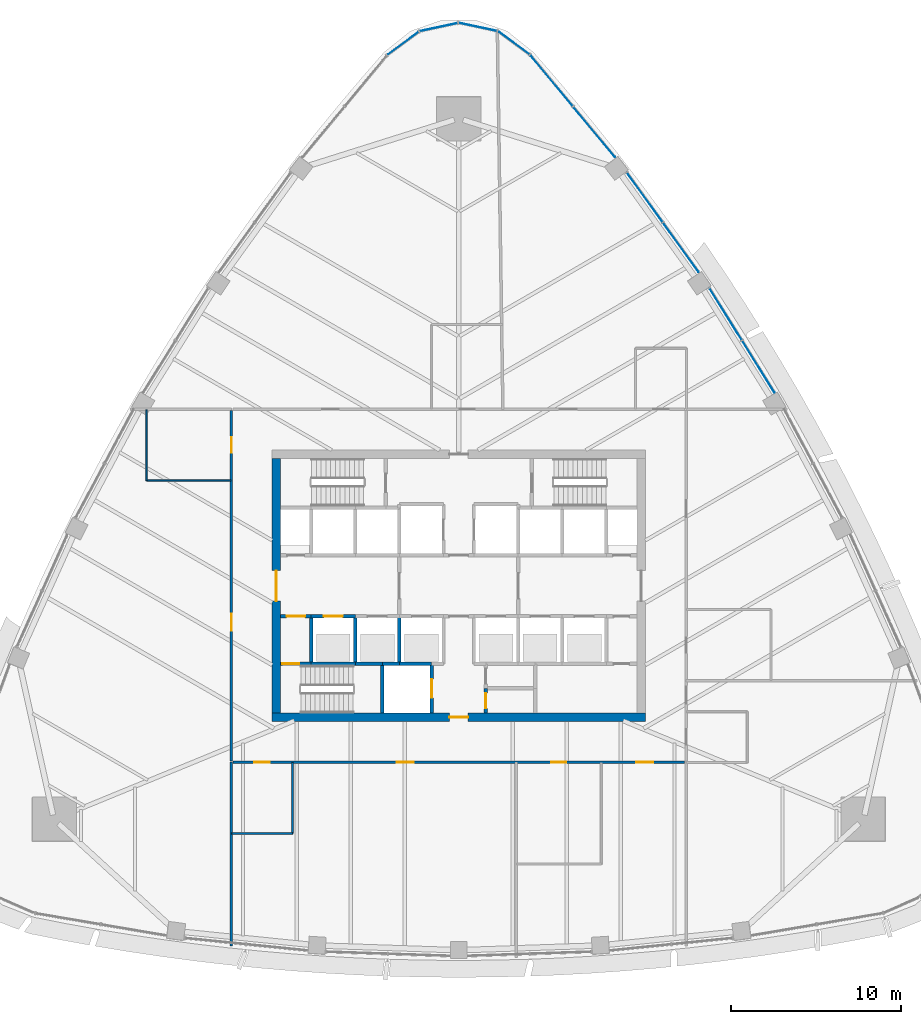
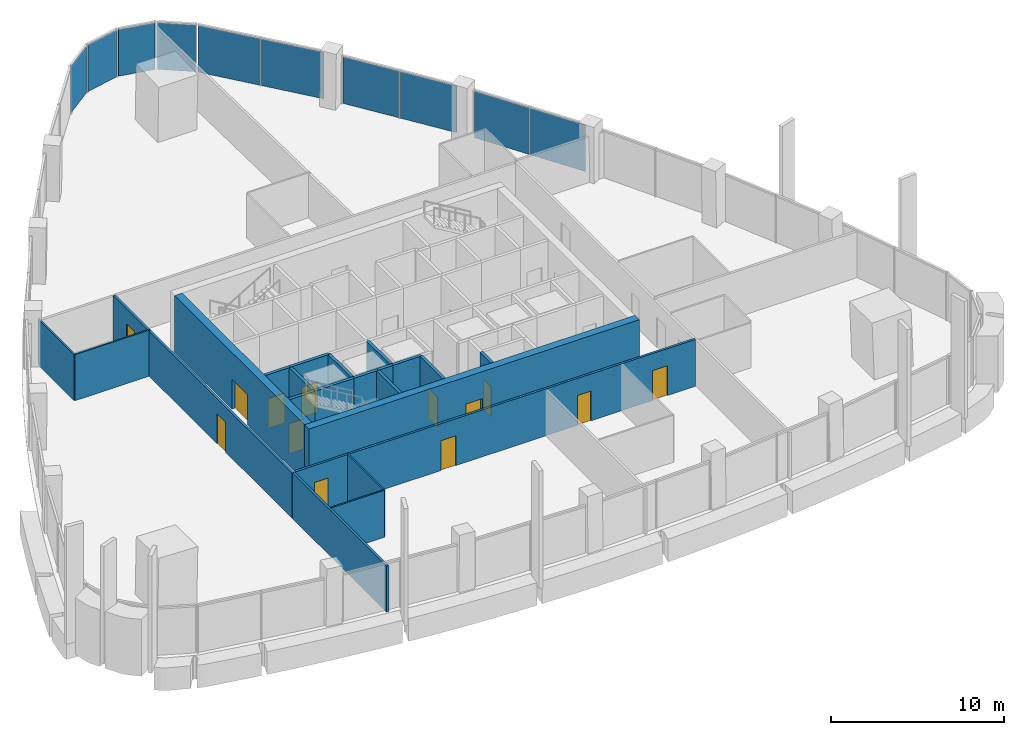
# One storey, part 9 of 17: 22 walls, 13 doors, 10 plates, 13 openings, 7 elements without a shape of their own.
"""IFC4 building model written with IfcOpenShell, lengths in metres."""

from ifc_helpers import new_model, si_unit, direction, frame, frame_2d, origin, origin_2d, place, context, subcontext, project, spatial, rectangle, extrude, material, layer, layer_set, type_object, element, fill, aggregate, save


model = new_model("IFC4")

# Units and contexts
model_context = context("Model", 3, precision=1e-05, world=origin(), true_north=direction((0.0, 1.0)))
body_context = subcontext(model_context, "Body", "Model", "MODEL_VIEW")
ifc_project = project(units=[si_unit("LENGTHUNIT", "METRE"), si_unit("AREAUNIT", "SQUARE_METRE"), si_unit("VOLUMEUNIT", "CUBIC_METRE"), si_unit("PLANEANGLEUNIT", "RADIAN"), si_unit("MASSUNIT", "GRAM", prefix="KILO")], contexts=[model_context])

# Site, building, storey
site_placement = place(None, origin())
site = spatial("IfcSite", under=ifc_project, at=site_placement, CompositionType="ELEMENT")
building_placement = place(site_placement, origin())
building = spatial("IfcBuilding", under=site, at=building_placement, Name="Sierra Prisma Convention Tower", CompositionType="ELEMENT")
storey_placement = place(building_placement, frame((0.0, 0.0, 169.800048828125)))
storey = spatial("IfcBuildingStorey", under=building, at=storey_placement, Name="L37", CompositionType="ELEMENT", Elevation=169.800048828125)

# Curtain wall, plates
ifc_material_1 = material(Name="Aluminium and glass curtain wall", Category="aluminium")
ifc_layer_1 = layer(ifc_material_1, 0.179931640625)
ifc_layer_set_1 = layer_set([ifc_layer_1], Name="CW-1 Plain shaft curtain wall")
curtain_wall_type = type_object("IfcCurtainWallType", Name="CW-1 Plain shaft curtain wall", PredefinedType="NOTDEFINED", material=ifc_layer_set_1)
curtain_wall_1_placement = place(storey_placement, origin())
curtain_wall_1 = element("IfcCurtainWall", 1, at=curtain_wall_1_placement, inside=storey, type_object=curtain_wall_type, Name="CW-1 NE4 L37", PredefinedType="NOTDEFINED")
ifc_material_2 = material(Name="Tinted glass bronze-grey IGU", Category="glass")
ifc_layer_2 = layer(ifc_material_2, 0.028076171875)
ifc_layer_set_2 = layer_set([ifc_layer_2], Name="CW-1 glass panel")
plate_type = type_object("IfcPlateType", Name="CW-1 glass panel", PredefinedType="CURTAIN_PANEL", material=ifc_layer_set_2)
plate_1_placement = place(storey_placement, frame((17.6591796875, 12.920166015625, 0.0), z_axis=(0.0, 0.0, 1.0), x_axis=(-0.52891307546, 0.848676003318, 0.0)))
plate_1 = element("IfcPlate", 2, at=plate_1_placement, type_object=plate_type, Name="CW-1 panel NE4.1", PredefinedType="CURTAIN_PANEL", context=body_context, shape_type="SweptSolid", body=[
    extrude(rectangle(XDim=3.58203125, YDim=0.028076171875, at=origin_2d()), origin(), (0.0, 0.0, 1.0), 3.280029296875),
])
plate_2_placement = place(storey_placement, frame((15.7275390625, 16.019287109375, 0.0), z_axis=(0.0, 0.0, 1.0), x_axis=(-0.52891307546, 0.848676003318, 0.0)))
plate_2 = element("IfcPlate", 3, at=plate_2_placement, type_object=plate_type, Name="CW-1 panel NE4.2", PredefinedType="CURTAIN_PANEL", context=body_context, shape_type="SweptSolid", body=[
    extrude(rectangle(XDim=3.58203125, YDim=0.028076171875, at=origin_2d()), origin(), (0.0, 0.0, 1.0), 3.280029296875),
])
aggregate(curtain_wall_1, [plate_1, plate_2])

curtain_wall_2_placement = place(storey_placement, origin())
curtain_wall_2 = element("IfcCurtainWall", 4, at=curtain_wall_2_placement, inside=storey, type_object=curtain_wall_type, Name="CW-1 NE5 L37", PredefinedType="NOTDEFINED")
plate_3_placement = place(storey_placement, frame((13.095703125, 19.9423828125, 0.0), z_axis=(0.0, 0.0, 1.0), x_axis=(-0.58490296575, 0.811103273731, 0.0)))
plate_3 = element("IfcPlate", 5, at=plate_3_placement, type_object=plate_type, Name="CW-1 panel NE5.1", PredefinedType="CURTAIN_PANEL", context=body_context, shape_type="SweptSolid", body=[
    extrude(rectangle(XDim=3.566650390625, YDim=0.028076171875, at=origin_2d()), origin(), (0.0, 0.0, 1.0), 3.280029296875),
])
plate_4_placement = place(storey_placement, frame((10.96875, 22.89208984375, 0.0), z_axis=(0.0, 0.0, 1.0), x_axis=(-0.58490296575, 0.811103273731, 0.0)))
plate_4 = element("IfcPlate", 6, at=plate_4_placement, type_object=plate_type, Name="CW-1 panel NE5.2", PredefinedType="CURTAIN_PANEL", context=body_context, shape_type="SweptSolid", body=[
    extrude(rectangle(XDim=3.566650390625, YDim=0.028076171875, at=origin_2d()), origin(), (0.0, 0.0, 1.0), 3.280029296875),
])
aggregate(curtain_wall_2, [plate_3, plate_4])

curtain_wall_3_placement = place(storey_placement, origin())
curtain_wall_3 = element("IfcCurtainWall", 7, at=curtain_wall_3_placement, inside=storey, type_object=curtain_wall_type, Name="CW-1 NE6 L37", PredefinedType="NOTDEFINED")
plate_5_placement = place(storey_placement, frame((7.978515625, 26.751708984375, 0.0), z_axis=(0.0, 0.0, 1.0), x_axis=(-0.638233549188, 0.769842799986, 0.0)))
plate_5 = element("IfcPlate", 8, at=plate_5_placement, type_object=plate_type, Name="CW-1 panel NE6.1", PredefinedType="CURTAIN_PANEL", context=body_context, shape_type="SweptSolid", body=[
    extrude(rectangle(XDim=3.838134765625, YDim=0.028076171875, at=origin_2d()), origin(), (0.0, 0.0, 1.0), 3.280029296875),
])
plate_6_placement = place(storey_placement, frame((5.484375, 29.76025390625, 0.0), z_axis=(0.0, 0.0, 1.0), x_axis=(-0.638233549188, 0.769842799986, 0.0)))
plate_6 = element("IfcPlate", 9, at=plate_6_placement, type_object=plate_type, Name="CW-1 panel NE6.2", PredefinedType="CURTAIN_PANEL", context=body_context, shape_type="SweptSolid", body=[
    extrude(rectangle(XDim=3.838134765625, YDim=0.028076171875, at=origin_2d()), origin(), (0.0, 0.0, 1.0), 3.280029296875),
])
aggregate(curtain_wall_3, [plate_5, plate_6])

# Curtain wall, plate
curtain_wall_4_placement = place(storey_placement, origin())
curtain_wall_4 = element("IfcCurtainWall", 10, at=curtain_wall_4_placement, inside=storey, type_object=curtain_wall_type, Name="CW-1 N1 L37", PredefinedType="NOTDEFINED")
plate_7_placement = place(storey_placement, frame((3.2626953125, 31.9912109375, 0.0), z_axis=(0.0, 0.0, 1.0), x_axis=(-0.805868379387, 0.592094718017, 0.0)))
plate_7 = element("IfcPlate", 11, at=plate_7_placement, type_object=plate_type, Name="CW-1 panel N1.1", PredefinedType="CURTAIN_PANEL", context=body_context, shape_type="SweptSolid", body=[
    extrude(rectangle(XDim=2.22314453125, YDim=0.028076171875, at=origin_2d()), origin(), (0.0, 0.0, 1.0), 3.280029296875),
])
aggregate(curtain_wall_4, [plate_7])

curtain_wall_5_placement = place(storey_placement, origin())
curtain_wall_5 = element("IfcCurtainWall", 12, at=curtain_wall_5_placement, inside=storey, type_object=curtain_wall_type, Name="CW-1 N2 L37", PredefinedType="NOTDEFINED")
plate_8_placement = place(storey_placement, frame((1.1552734375, 32.9384765625, 0.0), z_axis=(0.0, 0.0, 1.0), x_axis=(-0.977776166605, 0.209651539511, 0.0)))
plate_8 = element("IfcPlate", 13, at=plate_8_placement, type_object=plate_type, Name="CW-1 panel N2.1", PredefinedType="CURTAIN_PANEL", context=body_context, shape_type="SweptSolid", body=[
    extrude(rectangle(XDim=2.22314453125, YDim=0.028076171875, at=origin_2d()), origin(), (0.0, 0.0, 1.0), 3.280029296875),
])
aggregate(curtain_wall_5, [plate_8])

curtain_wall_6_placement = place(storey_placement, origin())
curtain_wall_6 = element("IfcCurtainWall", 14, at=curtain_wall_6_placement, inside=storey, type_object=curtain_wall_type, Name="CW-1 N3 L37", PredefinedType="NOTDEFINED")
plate_9_placement = place(storey_placement, frame((-1.1552734375, 32.9384765625, 0.0), z_axis=(0.0, 0.0, 1.0), x_axis=(-0.977776166605, -0.209651539511, 0.0)))
plate_9 = element("IfcPlate", 15, at=plate_9_placement, type_object=plate_type, Name="CW-1 panel N3.1", PredefinedType="CURTAIN_PANEL", context=body_context, shape_type="SweptSolid", body=[
    extrude(rectangle(XDim=2.22314453125, YDim=0.028076171875, at=origin_2d()), origin(), (0.0, 0.0, 1.0), 3.280029296875),
])
aggregate(curtain_wall_6, [plate_9])

curtain_wall_7_placement = place(storey_placement, origin())
curtain_wall_7 = element("IfcCurtainWall", 16, at=curtain_wall_7_placement, inside=storey, type_object=curtain_wall_type, Name="CW-1 N4 L37", PredefinedType="NOTDEFINED")
plate_10_placement = place(storey_placement, frame((-3.2626953125, 31.9912109375, 0.0), z_axis=(0.0, 0.0, 1.0), x_axis=(-0.805868379387, -0.592094718017, 0.0)))
plate_10 = element("IfcPlate", 17, at=plate_10_placement, type_object=plate_type, Name="CW-1 panel N4.1", PredefinedType="CURTAIN_PANEL", context=body_context, shape_type="SweptSolid", body=[
    extrude(rectangle(XDim=2.22314453125, YDim=0.028076171875, at=origin_2d()), origin(), (0.0, 0.0, 1.0), 3.280029296875),
])
aggregate(curtain_wall_7, [plate_10])

# Walls
ifc_material_3 = material(Name="Gypsum board partition", Category="gypsum")
ifc_layer_3 = layer(ifc_material_3, 0.10009765625)
ifc_layer_set_3 = layer_set([ifc_layer_3], Name="Bathroom partition 100")
wall_type_1 = type_object("IfcWallType", Name="Bathroom partition 100", PredefinedType="PARTITIONING", material=ifc_layer_set_3)
wall_1_placement = place(storey_placement, frame((-13.429931640625, 6.199951171875, 0.0), z_axis=(0.0, 0.0, 1.0), x_axis=(-1.0, 0.0, 0.0)))
element("IfcWall", 18, at=wall_1_placement, inside=storey, type_object=wall_type_1, Name="Partition L37 bath 1", PredefinedType="PARTITIONING", context=body_context, shape_type="SweptSolid", body=[
    extrude(rectangle(XDim=4.969970703125, YDim=0.10009765625, at=frame_2d((2.48486328125, 0.0))), origin(), (0.0, 0.0, 1.0), 3.242919921875),
])
wall_2_placement = place(storey_placement, frame((-18.39990234375, 6.199951171875, 0.0), z_axis=(0.0, 0.0, 1.0), x_axis=(0.0, 1.0, 0.0)))
element("IfcWall", 19, at=wall_2_placement, inside=storey, type_object=wall_type_1, Name="Partition L37 bath 2", PredefinedType="PARTITIONING", context=body_context, shape_type="SweptSolid", body=[
    extrude(rectangle(XDim=4.170166015625, YDim=0.10009765625, at=frame_2d((2.0849609375, 0.0))), origin(), (0.0, 0.0, 1.0), 3.242919921875),
])
wall_3_placement = place(storey_placement, frame((-9.800048828125, -10.429931640625, 0.0), z_axis=(0.0, 0.0, 1.0), x_axis=(0.0, -1.0, 0.0)))
element("IfcWall", 20, at=wall_3_placement, inside=storey, type_object=wall_type_1, Name="Partition L37 bath 3", PredefinedType="PARTITIONING", context=body_context, shape_type="SweptSolid", body=[
    extrude(rectangle(XDim=4.170166015625, YDim=0.10009765625, at=frame_2d((2.0849609375, 0.0))), origin(), (0.0, 0.0, 1.0), 3.300048828125),
])
wall_4_placement = place(storey_placement, frame((-9.800048828125, -14.60009765625, 0.0), z_axis=(0.0, 0.0, 1.0), x_axis=(-1.0, 0.0, 0.0)))
element("IfcWall", 21, at=wall_4_placement, inside=storey, type_object=wall_type_1, Name="Partition L37 bath 4", PredefinedType="PARTITIONING", context=body_context, shape_type="SweptSolid", body=[
    extrude(rectangle(XDim=3.570068359375, YDim=0.10009765625, at=frame_2d((1.78515625, 0.0))), origin(), (0.0, 0.0, 1.0), 3.300048828125),
])

# Wall, opening, door
ifc_material_4 = material(Name="Concrete C30/37", Category="concrete")
ifc_layer_4 = layer(ifc_material_4, 0.199951171875)
ifc_layer_set_4 = layer_set([ifc_layer_4], Name="Core wall RC 200 C30/37")
wall_type_2 = type_object("IfcWallType", Name="Core wall RC 200 C30/37", PredefinedType="SOLIDWALL", material=ifc_layer_set_4)
wall_5_placement = place(storey_placement, frame((-10.5, -4.60009765625, 0.0), z_axis=(0.0, 0.0, 1.0), x_axis=(1.0, 0.0, 0.0)))
wall_5 = element("IfcWall", 22, at=wall_5_placement, inside=storey, type_object=wall_type_2, Name="Core wall L37 1", PredefinedType="SOLIDWALL", context=body_context, shape_type="SweptSolid", body=[
    extrude(rectangle(XDim=1.800048828125, YDim=0.199951171875, at=frame_2d((0.89990234375, 0.0))), origin(), (0.0, 0.0, 1.0), 3.849853515625),
])
opening_1_placement = place(wall_5_placement, frame((0.10009765625, 0.0, 0.0)))
opening_1 = element("IfcOpeningElement", 23, at=opening_1_placement, cuts=wall_5, Name="Opening L37-D017", PredefinedType="OPENING", context=body_context, shape_type="SweptSolid", body=[
    extrude(rectangle(XDim=1.0, YDim=2.10009765625, at=frame_2d((0.5, 1.050048828125))), frame((0.0, 0.10009765625, 0.0), z_axis=(0.0, -1.0, 0.0), x_axis=(1.0, 0.0, 0.0)), (0.0, 0.0, 1.0), 0.199951171875),
])
ifc_material_5 = material(Name="Steel fire door leaf", Category="steel")
door_type_1 = type_object("IfcDoorType", Name="Door 1000x2100 FD90S", OperationType="SINGLE_SWING_LEFT", PredefinedType="DOOR", material=ifc_material_5)
door_1_placement = place(opening_1_placement, origin())
door_1 = element("IfcDoor", 24, at=door_1_placement, inside=storey, type_object=door_type_1, Name="Door L37 31", OperationType="SINGLE_SWING_LEFT", OverallHeight=2.10009765625, OverallWidth=1.0, PredefinedType="DOOR", context=body_context, shape_type="SweptSolid", body=[
    extrude(rectangle(XDim=1.0, YDim=2.10009765625, at=frame_2d((0.5, 1.050048828125))), frame((0.0, 0.02490234375, 0.0), z_axis=(0.0, -1.0, 0.0), x_axis=(1.0, 0.0, 0.0)), (0.0, 0.0, 1.0), 0.050048828125),
])
fill(opening_1, door_1)

wall_6_placement = place(storey_placement, frame((-10.5, -1.800048828125, 0.0), z_axis=(0.0, 0.0, 1.0), x_axis=(1.0, 0.0, 0.0)))
wall_6 = element("IfcWall", 25, at=wall_6_placement, inside=storey, type_object=wall_type_2, Name="Core wall L37 2", PredefinedType="SOLIDWALL", context=body_context, shape_type="SweptSolid", body=[
    extrude(rectangle(XDim=1.800048828125, YDim=0.199951171875, at=frame_2d((0.89990234375, 0.0))), origin(), (0.0, 0.0, 1.0), 3.849853515625),
])
opening_2_placement = place(wall_6_placement, frame((0.35009765625, 0.0, 0.0)))
opening_2 = element("IfcOpeningElement", 26, at=opening_2_placement, cuts=wall_6, Name="Opening L37-D012", PredefinedType="OPENING", context=body_context, shape_type="SweptSolid", body=[
    extrude(rectangle(XDim=1.10009765625, YDim=2.10009765625, at=frame_2d((0.550048828125, 1.050048828125))), frame((0.0, 0.10009765625, 0.0), z_axis=(0.0, -1.0, 0.0), x_axis=(1.0, 0.0, 0.0)), (0.0, 0.0, 1.0), 0.199951171875),
])
ifc_material_6 = material(Name="Steel fire door leaf", Category="steel")
door_type_2 = type_object("IfcDoorType", Name="Door 1100x2100 FD90S", OperationType="SINGLE_SWING_LEFT", PredefinedType="DOOR", material=ifc_material_6)
door_2_placement = place(opening_2_placement, origin())
door_2 = element("IfcDoor", 27, at=door_2_placement, inside=storey, type_object=door_type_2, Name="Door L37 26", OperationType="SINGLE_SWING_RIGHT", OverallHeight=2.10009765625, OverallWidth=1.10009765625, PredefinedType="DOOR", context=body_context, shape_type="SweptSolid", body=[
    extrude(rectangle(XDim=1.10009765625, YDim=2.10009765625, at=frame_2d((0.550048828125, 1.050048828125))), frame((0.0, 0.02490234375, 0.0), z_axis=(0.0, -1.0, 0.0), x_axis=(1.0, 0.0, 0.0)), (0.0, 0.0, 1.0), 0.050048828125),
])
fill(opening_2, door_2)

# Walls
wall_7_placement = place(storey_placement, frame((-8.699951171875, -4.60009765625, 0.0), z_axis=(0.0, 0.0, 1.0), x_axis=(1.0, 0.0, 0.0)))
element("IfcWall", 28, at=wall_7_placement, inside=storey, type_object=wall_type_2, Name="Core wall L37 5", PredefinedType="SOLIDWALL", context=body_context, shape_type="SweptSolid", body=[
    extrude(rectangle(XDim=2.599853515625, YDim=0.199951171875, at=frame_2d((1.2998046875, 0.0))), origin(), (0.0, 0.0, 1.0), 3.849853515625),
])
wall_8_placement = place(storey_placement, frame((-8.699951171875, -4.60009765625, 0.0), z_axis=(0.0, 0.0, 1.0), x_axis=(0.0, 1.0, 0.0)))
element("IfcWall", 29, at=wall_8_placement, inside=storey, type_object=wall_type_2, Name="Core wall L37 6", PredefinedType="SOLIDWALL", context=body_context, shape_type="SweptSolid", body=[
    extrude(rectangle(XDim=2.800048828125, YDim=0.199951171875, at=frame_2d((1.39990234375, 0.0))), origin(), (0.0, 0.0, 1.0), 3.849853515625),
])

# Wall, opening, door
wall_9_placement = place(storey_placement, frame((-8.699951171875, -1.800048828125, 0.0), z_axis=(0.0, 0.0, 1.0), x_axis=(1.0, 0.0, 0.0)))
wall_9 = element("IfcWall", 30, at=wall_9_placement, inside=storey, type_object=wall_type_2, Name="Core wall L37 7", PredefinedType="SOLIDWALL", context=body_context, shape_type="SweptSolid", body=[
    extrude(rectangle(XDim=2.599853515625, YDim=0.199951171875, at=frame_2d((1.2998046875, 0.0))), origin(), (0.0, 0.0, 1.0), 3.849853515625),
])
opening_3_placement = place(wall_9_placement, frame((0.75, 0.0, 0.0)))
opening_3 = element("IfcOpeningElement", 31, at=opening_3_placement, cuts=wall_9, Name="Opening L37-D001", PredefinedType="OPENING", context=body_context, shape_type="SweptSolid", body=[
    extrude(rectangle(XDim=1.10009765625, YDim=2.10009765625, at=frame_2d((0.550048828125, 1.050048828125))), frame((0.0, 0.10009765625, 0.0), z_axis=(0.0, -1.0, 0.0), x_axis=(1.0, 0.0, 0.0)), (0.0, 0.0, 1.0), 0.199951171875),
])
ifc_material_7 = material(Name="Steel fire door leaf", Category="steel")
door_type_3 = type_object("IfcDoorType", Name="Door 1100x2100 EI 90 sliding lift landing", OperationType="SLIDING_TO_LEFT", PredefinedType="DOOR", material=ifc_material_7)
door_3_placement = place(opening_3_placement, origin())
door_3 = element("IfcDoor", 32, at=door_3_placement, inside=storey, type_object=door_type_3, Name="Door L37 15", OperationType="SLIDING_TO_RIGHT", OverallHeight=2.10009765625, OverallWidth=1.10009765625, PredefinedType="DOOR", context=body_context, shape_type="SweptSolid", body=[
    extrude(rectangle(XDim=1.10009765625, YDim=2.10009765625, at=frame_2d((0.550048828125, 1.050048828125))), frame((0.0, 0.02490234375, 0.0), z_axis=(0.0, -1.0, 0.0), x_axis=(1.0, 0.0, 0.0)), (0.0, 0.0, 1.0), 0.050048828125),
])
fill(opening_3, door_3)

# Walls
wall_10_placement = place(storey_placement, frame((-6.10009765625, -4.60009765625, 0.0), z_axis=(0.0, 0.0, 1.0), x_axis=(1.0, 0.0, 0.0)))
element("IfcWall", 33, at=wall_10_placement, inside=storey, type_object=wall_type_2, Name="Core wall L37 11", PredefinedType="SOLIDWALL", context=body_context, shape_type="SweptSolid", body=[
    extrude(rectangle(XDim=1.60009765625, YDim=0.199951171875, at=frame_2d((0.800048828125, 0.0))), origin(), (0.0, 0.0, 1.0), 3.849853515625),
])
wall_11_placement = place(storey_placement, frame((-6.10009765625, -4.60009765625, 0.0), z_axis=(0.0, 0.0, 1.0), x_axis=(0.0, 1.0, 0.0)))
element("IfcWall", 34, at=wall_11_placement, inside=storey, type_object=wall_type_2, Name="Core wall L37 12", PredefinedType="SOLIDWALL", context=body_context, shape_type="SweptSolid", body=[
    extrude(rectangle(XDim=2.800048828125, YDim=0.199951171875, at=frame_2d((1.39990234375, 0.0))), origin(), (0.0, 0.0, 1.0), 3.849853515625),
])
wall_12_placement = place(storey_placement, frame((-4.5, -4.60009765625, 0.0), z_axis=(0.0, 0.0, 1.0), x_axis=(0.0, -1.0, 0.0)))
element("IfcWall", 35, at=wall_12_placement, inside=storey, type_object=wall_type_2, Name="Core wall L37 17", PredefinedType="SOLIDWALL", context=body_context, shape_type="SweptSolid", body=[
    extrude(rectangle(XDim=2.89990234375, YDim=0.199951171875, at=frame_2d((1.449951171875, 0.0))), origin(), (0.0, 0.0, 1.0), 3.849853515625),
])
wall_13_placement = place(storey_placement, frame((-4.5, -4.60009765625, 0.0), z_axis=(0.0, 0.0, 1.0), x_axis=(1.0, 0.0, 0.0)))
element("IfcWall", 36, at=wall_13_placement, inside=storey, type_object=wall_type_2, Name="Core wall L37 18", PredefinedType="SOLIDWALL", context=body_context, shape_type="SweptSolid", body=[
    extrude(rectangle(XDim=1.0, YDim=0.199951171875, at=frame_2d((0.5, 0.0))), origin(), (0.0, 0.0, 1.0), 3.849853515625),
])
wall_14_placement = place(storey_placement, frame((-3.5, -4.60009765625, 0.0), z_axis=(0.0, 0.0, 1.0), x_axis=(1.0, 0.0, 0.0)))
element("IfcWall", 37, at=wall_14_placement, inside=storey, type_object=wall_type_2, Name="Core wall L37 21", PredefinedType="SOLIDWALL", context=body_context, shape_type="SweptSolid", body=[
    extrude(rectangle(XDim=1.89990234375, YDim=0.199951171875, at=frame_2d((0.949951171875, 0.0))), origin(), (0.0, 0.0, 1.0), 3.849853515625),
])
wall_15_placement = place(storey_placement, frame((-3.5, -4.60009765625, 0.0), z_axis=(0.0, 0.0, 1.0), x_axis=(0.0, 1.0, 0.0)))
element("IfcWall", 38, at=wall_15_placement, inside=storey, type_object=wall_type_2, Name="Core wall L37 22", PredefinedType="SOLIDWALL", context=body_context, shape_type="SweptSolid", body=[
    extrude(rectangle(XDim=2.800048828125, YDim=0.199951171875, at=frame_2d((1.39990234375, 0.0))), origin(), (0.0, 0.0, 1.0), 3.849853515625),
])

# Wall, opening, door
wall_16_placement = place(storey_placement, frame((-1.60009765625, -7.5, 0.0), z_axis=(0.0, 0.0, 1.0), x_axis=(0.0, 1.0, 0.0)))
wall_16 = element("IfcWall", 39, at=wall_16_placement, inside=storey, type_object=wall_type_2, Name="Core wall L37 30", PredefinedType="SOLIDWALL", context=body_context, shape_type="SweptSolid", body=[
    extrude(rectangle(XDim=2.89990234375, YDim=0.199951171875, at=frame_2d((1.449951171875, 0.0))), origin(), (0.0, 0.0, 1.0), 3.849853515625),
])
opening_4_placement = place(wall_16_placement, frame((0.89990234375, 0.0, 0.0)))
opening_4 = element("IfcOpeningElement", 40, at=opening_4_placement, cuts=wall_16, Name="Opening L37-D009", PredefinedType="OPENING", context=body_context, shape_type="SweptSolid", body=[
    extrude(rectangle(XDim=1.10009765625, YDim=2.10009765625, at=frame_2d((0.550048828125, 1.050048828125))), frame((0.0, 0.10009765625, 0.0), z_axis=(0.0, -1.0, 0.0), x_axis=(1.0, 0.0, 0.0)), (0.0, 0.0, 1.0), 0.199951171875),
])
door_4_placement = place(opening_4_placement, origin())
door_4 = element("IfcDoor", 41, at=door_4_placement, inside=storey, type_object=door_type_3, Name="Door L37 23", OperationType="SLIDING_TO_LEFT", OverallHeight=2.10009765625, OverallWidth=1.10009765625, PredefinedType="DOOR", context=body_context, shape_type="SweptSolid", body=[
    extrude(rectangle(XDim=1.10009765625, YDim=2.10009765625, at=frame_2d((0.550048828125, 1.050048828125))), frame((0.0, 0.02490234375, 0.0), z_axis=(0.0, -1.0, 0.0), x_axis=(1.0, 0.0, 0.0)), (0.0, 0.0, 1.0), 0.050048828125),
])
fill(opening_4, door_4)

wall_17_placement = place(storey_placement, frame((1.60009765625, -6.050048828125, 0.0), z_axis=(0.0, 0.0, 1.0), x_axis=(0.0, -1.0, 0.0)))
wall_17 = element("IfcWall", 42, at=wall_17_placement, inside=storey, type_object=wall_type_2, Name="Core wall L37 42", PredefinedType="SOLIDWALL", context=body_context, shape_type="SweptSolid", body=[
    extrude(rectangle(XDim=1.449951171875, YDim=0.199951171875, at=frame_2d((0.72509765625, 0.0))), origin(), (0.0, 0.0, 1.0), 3.849853515625),
])
opening_5_placement = place(wall_17_placement, frame((0.27490234375, 0.0, 0.0)))
opening_5 = element("IfcOpeningElement", 43, at=opening_5_placement, cuts=wall_17, Name="Opening L37-D022", PredefinedType="OPENING", context=body_context, shape_type="SweptSolid", body=[
    extrude(rectangle(XDim=0.89990234375, YDim=2.10009765625, at=frame_2d((0.449951171875, 1.050048828125))), frame((0.0, 0.10009765625, 0.0), z_axis=(0.0, -1.0, 0.0), x_axis=(1.0, 0.0, 0.0)), (0.0, 0.0, 1.0), 0.199951171875),
])
ifc_material_8 = material(Name="Steel fire door leaf", Category="steel")
door_type_4 = type_object("IfcDoorType", Name="Door 900x2100 FD30S", OperationType="SINGLE_SWING_LEFT", PredefinedType="DOOR", material=ifc_material_8)
door_5_placement = place(opening_5_placement, origin())
door_5 = element("IfcDoor", 44, at=door_5_placement, inside=storey, type_object=door_type_4, Name="Door L37 36", OperationType="SINGLE_SWING_LEFT", OverallHeight=2.10009765625, OverallWidth=0.89990234375, PredefinedType="DOOR", context=body_context, shape_type="SweptSolid", body=[
    extrude(rectangle(XDim=0.89990234375, YDim=2.10009765625, at=frame_2d((0.449951171875, 1.050048828125))), frame((0.0, 0.02490234375, 0.0), z_axis=(0.0, -1.0, 0.0), x_axis=(1.0, 0.0, 0.0)), (0.0, 0.0, 1.0), 0.050048828125),
])
fill(opening_5, door_5)

ifc_material_9 = material(Name="Concrete C60/75", Category="concrete")
ifc_layer_5 = layer(ifc_material_9, 0.5)
ifc_layer_set_5 = layer_set([ifc_layer_5], Name="Core wall RC 500 C60/75")
wall_type_3 = type_object("IfcWallType", Name="Core wall RC 500 C60/75", PredefinedType="SHEAR", material=ifc_layer_set_5)
wall_18_placement = place(storey_placement, frame((-11.0, -7.75, 0.0), z_axis=(0.0, 0.0, 1.0), x_axis=(1.0, 0.0, 0.0)))
wall_18 = element("IfcWall", 45, at=wall_18_placement, inside=storey, type_object=wall_type_3, Name="Core wall S L37", PredefinedType="SHEAR", context=body_context, shape_type="SweptSolid", body=[
    extrude(rectangle(XDim=22.0, YDim=0.5, at=frame_2d((11.0, 0.0))), origin(), (0.0, 0.0, 1.0), 4.0),
])
opening_6_placement = place(wall_18_placement, frame((10.449951171875, 0.0, 0.0)))
opening_6 = element("IfcOpeningElement", 46, at=opening_6_placement, cuts=wall_18, Name="Opening L37-D040", PredefinedType="OPENING", context=body_context, shape_type="SweptSolid", body=[
    extrude(rectangle(XDim=1.10009765625, YDim=2.10009765625, at=frame_2d((0.550048828125, 1.050048828125))), frame((0.0, 0.25, 0.0), z_axis=(0.0, -1.0, 0.0), x_axis=(1.0, 0.0, 0.0)), (0.0, 0.0, 1.0), 0.5),
])
ifc_material_10 = material(Name="Steel fire door leaf", Category="steel")
door_type_5 = type_object("IfcDoorType", Name="Door 1100x2100 FD30S", OperationType="SINGLE_SWING_LEFT", PredefinedType="DOOR", material=ifc_material_10)
door_6_placement = place(opening_6_placement, origin())
door_6 = element("IfcDoor", 47, at=door_6_placement, inside=storey, type_object=door_type_5, Name="Door L37 41", OperationType="SINGLE_SWING_RIGHT", OverallHeight=2.10009765625, OverallWidth=1.10009765625, PredefinedType="DOOR", context=body_context, shape_type="SweptSolid", body=[
    extrude(rectangle(XDim=1.10009765625, YDim=2.10009765625, at=frame_2d((0.550048828125, 1.050048828125))), frame((0.0, 0.02490234375, 0.0), z_axis=(0.0, -1.0, 0.0), x_axis=(1.0, 0.0, 0.0)), (0.0, 0.0, 1.0), 0.050048828125),
])
fill(opening_6, door_6)

wall_19_placement = place(storey_placement, frame((-10.75, -7.5, 0.0), z_axis=(0.0, 0.0, 1.0), x_axis=(0.0, 1.0, 0.0)))
wall_19 = element("IfcWall", 48, at=wall_19_placement, inside=storey, type_object=wall_type_3, Name="Core wall W L37", PredefinedType="SHEAR", context=body_context, shape_type="SweptSolid", body=[
    extrude(rectangle(XDim=15.0, YDim=0.5, at=frame_2d((7.5, 0.0))), origin(), (0.0, 0.0, 1.0), 4.0),
])
opening_7_placement = place(wall_19_placement, frame((6.60009765625, 0.0, 0.0)))
opening_7 = element("IfcOpeningElement", 49, at=opening_7_placement, cuts=wall_19, Name="Opening L37-D041", PredefinedType="OPENING", context=body_context, shape_type="SweptSolid", body=[
    extrude(rectangle(XDim=1.800048828125, YDim=2.10009765625, at=frame_2d((0.89990234375, 1.050048828125))), frame((0.0, 0.25, 0.0), z_axis=(0.0, -1.0, 0.0), x_axis=(1.0, 0.0, 0.0)), (0.0, 0.0, 1.0), 0.5),
])
ifc_material_11 = material(Name="Steel fire door leaf", Category="steel")
door_type_6 = type_object("IfcDoorType", Name="Door 1800x2100 FD60S", OperationType="DOUBLE_DOOR_SINGLE_SWING", PredefinedType="DOOR", material=ifc_material_11)
door_7_placement = place(opening_7_placement, origin())
door_7 = element("IfcDoor", 50, at=door_7_placement, inside=storey, type_object=door_type_6, Name="Door L37 38", OperationType="DOUBLE_DOOR_SINGLE_SWING", OverallHeight=2.10009765625, OverallWidth=1.800048828125, PredefinedType="DOOR", context=body_context, shape_type="SweptSolid", body=[
    extrude(rectangle(XDim=1.800048828125, YDim=2.10009765625, at=frame_2d((0.89990234375, 1.050048828125))), frame((0.0, 0.02490234375, 0.0), z_axis=(0.0, -1.0, 0.0), x_axis=(1.0, 0.0, 0.0)), (0.0, 0.0, 1.0), 0.050048828125),
])
fill(opening_7, door_7)

# Wall, openings, doors
ifc_material_12 = material(Name="Gypsum board partition", Category="gypsum")
ifc_layer_6 = layer(ifc_material_12, 0.14990234375)
ifc_layer_set_6 = layer_set([ifc_layer_6], Name="Corridor wall 150 gypsum EI 60")
wall_type_4 = type_object("IfcWallType", Name="Corridor wall 150 gypsum EI 60", PredefinedType="PARTITIONING", material=ifc_layer_set_6)
wall_20_placement = place(storey_placement, frame((-13.39990234375, 10.320068359375, 0.0), z_axis=(0.0, 0.0, 1.0), x_axis=(0.0, -1.0, 0.0)))
wall_20 = element("IfcWall", 51, at=wall_20_placement, inside=storey, type_object=wall_type_4, Name="Partition L37 corr 1", PredefinedType="PARTITIONING", context=body_context, shape_type="SweptSolid", body=[
    extrude(rectangle(XDim=20.64013671875, YDim=0.14990234375, at=frame_2d((10.320068359375, 0.0))), origin(), (0.0, 0.0, 1.0), 3.166015625),
])
opening_8_placement = place(wall_20_placement, frame((1.570068359375, 0.0, 0.0)))
opening_8 = element("IfcOpeningElement", 52, at=opening_8_placement, cuts=wall_20, Name="Opening L37-D030", PredefinedType="OPENING", context=body_context, shape_type="SweptSolid", body=[
    extrude(rectangle(XDim=0.89990234375, YDim=2.10009765625, at=frame_2d((0.449951171875, 1.050048828125))), frame((0.0, 0.074951171875, 0.0), z_axis=(0.0, -1.0, 0.0), x_axis=(1.0, 0.0, 0.0)), (0.0, 0.0, 1.0), 0.14990234375),
])
opening_9_placement = place(wall_20_placement, frame((11.97998046875, 0.0, 0.0)))
opening_9 = element("IfcOpeningElement", 53, at=opening_9_placement, cuts=wall_20, Name="Opening L37-D031", PredefinedType="OPENING", context=body_context, shape_type="SweptSolid", body=[
    extrude(rectangle(XDim=1.0, YDim=2.10009765625, at=frame_2d((0.5, 1.050048828125))), frame((0.0, 0.074951171875, 0.0), z_axis=(0.0, -1.0, 0.0), x_axis=(1.0, 0.0, 0.0)), (0.0, 0.0, 1.0), 0.14990234375),
])
ifc_material_13 = material(Name="Steel fire door leaf", Category="steel")
door_type_7 = type_object("IfcDoorType", Name="Door 1000x2100 FD30S", OperationType="SINGLE_SWING_LEFT", PredefinedType="DOOR", material=ifc_material_13)
door_8_placement = place(opening_9_placement, origin())
door_8 = element("IfcDoor", 54, at=door_8_placement, inside=storey, type_object=door_type_7, Name="Door L37 8", OperationType="SINGLE_SWING_LEFT", OverallHeight=2.10009765625, OverallWidth=1.0, PredefinedType="DOOR", context=body_context, shape_type="SweptSolid", body=[
    extrude(rectangle(XDim=1.0, YDim=2.10009765625, at=frame_2d((0.5, 1.050048828125))), frame((0.0, 0.02490234375, 0.0), z_axis=(0.0, -1.0, 0.0), x_axis=(1.0, 0.0, 0.0)), (0.0, 0.0, 1.0), 0.050048828125),
])
fill(opening_9, door_8)
door_9_placement = place(opening_8_placement, origin())
door_9 = element("IfcDoor", 55, at=door_9_placement, inside=storey, type_object=door_type_4, Name="Door L37 7", OperationType="SINGLE_SWING_RIGHT", OverallHeight=2.10009765625, OverallWidth=0.89990234375, PredefinedType="DOOR", context=body_context, shape_type="SweptSolid", body=[
    extrude(rectangle(XDim=0.89990234375, YDim=2.10009765625, at=frame_2d((0.449951171875, 1.050048828125))), frame((0.0, 0.02490234375, 0.0), z_axis=(0.0, -1.0, 0.0), x_axis=(1.0, 0.0, 0.0)), (0.0, 0.0, 1.0), 0.050048828125),
])
fill(opening_8, door_9)

wall_21_placement = place(storey_placement, frame((-13.320068359375, -10.39990234375, 0.0), z_axis=(0.0, 0.0, 1.0), x_axis=(1.0, 0.0, 0.0)))
wall_21 = element("IfcWall", 56, at=wall_21_placement, inside=storey, type_object=wall_type_4, Name="Partition L37 corr 2", PredefinedType="PARTITIONING", context=body_context, shape_type="SweptSolid", body=[
    extrude(rectangle(XDim=26.64013671875, YDim=0.14990234375, at=frame_2d((13.320068359375, 0.0))), origin(), (0.0, 0.0, 1.0), 3.300048828125),
])
opening_10_placement = place(wall_21_placement, frame((1.27001953125, 0.0, 0.0)))
opening_10 = element("IfcOpeningElement", 57, at=opening_10_placement, cuts=wall_21, Name="Opening L37-D032", PredefinedType="OPENING", context=body_context, shape_type="SweptSolid", body=[
    extrude(rectangle(XDim=0.89990234375, YDim=2.10009765625, at=frame_2d((0.449951171875, 1.050048828125))), frame((0.0, 0.074951171875, 0.0), z_axis=(0.0, -1.0, 0.0), x_axis=(1.0, 0.0, 0.0)), (0.0, 0.0, 1.0), 0.14990234375),
])
opening_11_placement = place(wall_21_placement, frame((9.669921875, 0.0, 0.0)))
opening_11 = element("IfcOpeningElement", 58, at=opening_11_placement, cuts=wall_21, Name="Opening L37-D033", PredefinedType="OPENING", context=body_context, shape_type="SweptSolid", body=[
    extrude(rectangle(XDim=1.0, YDim=2.10009765625, at=frame_2d((0.5, 1.050048828125))), frame((0.0, 0.074951171875, 0.0), z_axis=(0.0, -1.0, 0.0), x_axis=(1.0, 0.0, 0.0)), (0.0, 0.0, 1.0), 0.14990234375),
])
opening_12_placement = place(wall_21_placement, frame((18.77001953125, 0.0, 0.0)))
opening_12 = element("IfcOpeningElement", 59, at=opening_12_placement, cuts=wall_21, Name="Opening L37-D034", PredefinedType="OPENING", context=body_context, shape_type="SweptSolid", body=[
    extrude(rectangle(XDim=0.89990234375, YDim=2.10009765625, at=frame_2d((0.449951171875, 1.050048828125))), frame((0.0, 0.074951171875, 0.0), z_axis=(0.0, -1.0, 0.0), x_axis=(1.0, 0.0, 0.0)), (0.0, 0.0, 1.0), 0.14990234375),
])
opening_13_placement = place(wall_21_placement, frame((23.77001953125, 0.0, 0.0)))
opening_13 = element("IfcOpeningElement", 60, at=opening_13_placement, cuts=wall_21, Name="Opening L37-D035", PredefinedType="OPENING", context=body_context, shape_type="SweptSolid", body=[
    extrude(rectangle(XDim=1.0, YDim=2.10009765625, at=frame_2d((0.5, 1.050048828125))), frame((0.0, 0.074951171875, 0.0), z_axis=(0.0, -1.0, 0.0), x_axis=(1.0, 0.0, 0.0)), (0.0, 0.0, 1.0), 0.14990234375),
])
door_10_placement = place(opening_11_placement, origin())
door_10 = element("IfcDoor", 61, at=door_10_placement, inside=storey, type_object=door_type_7, Name="Door L37 10", OperationType="SINGLE_SWING_RIGHT", OverallHeight=2.10009765625, OverallWidth=1.0, PredefinedType="DOOR", context=body_context, shape_type="SweptSolid", body=[
    extrude(rectangle(XDim=1.0, YDim=2.10009765625, at=frame_2d((0.5, 1.050048828125))), frame((0.0, 0.02490234375, 0.0), z_axis=(0.0, -1.0, 0.0), x_axis=(1.0, 0.0, 0.0)), (0.0, 0.0, 1.0), 0.050048828125),
])
fill(opening_11, door_10)
door_11_placement = place(opening_13_placement, origin())
door_11 = element("IfcDoor", 62, at=door_11_placement, inside=storey, type_object=door_type_7, Name="Door L37 12", OperationType="SINGLE_SWING_LEFT", OverallHeight=2.10009765625, OverallWidth=1.0, PredefinedType="DOOR", context=body_context, shape_type="SweptSolid", body=[
    extrude(rectangle(XDim=1.0, YDim=2.10009765625, at=frame_2d((0.5, 1.050048828125))), frame((0.0, 0.02490234375, 0.0), z_axis=(0.0, -1.0, 0.0), x_axis=(1.0, 0.0, 0.0)), (0.0, 0.0, 1.0), 0.050048828125),
])
fill(opening_13, door_11)
door_12_placement = place(opening_10_placement, origin())
door_12 = element("IfcDoor", 63, at=door_12_placement, inside=storey, type_object=door_type_4, Name="Door L37 9", OperationType="SINGLE_SWING_RIGHT", OverallHeight=2.10009765625, OverallWidth=0.89990234375, PredefinedType="DOOR", context=body_context, shape_type="SweptSolid", body=[
    extrude(rectangle(XDim=0.89990234375, YDim=2.10009765625, at=frame_2d((0.449951171875, 1.050048828125))), frame((0.0, 0.02490234375, 0.0), z_axis=(0.0, -1.0, 0.0), x_axis=(1.0, 0.0, 0.0)), (0.0, 0.0, 1.0), 0.050048828125),
])
fill(opening_10, door_12)
door_13_placement = place(opening_12_placement, origin())
door_13 = element("IfcDoor", 64, at=door_13_placement, inside=storey, type_object=door_type_4, Name="Door L37 11", OperationType="SINGLE_SWING_LEFT", OverallHeight=2.10009765625, OverallWidth=0.89990234375, PredefinedType="DOOR", context=body_context, shape_type="SweptSolid", body=[
    extrude(rectangle(XDim=0.89990234375, YDim=2.10009765625, at=frame_2d((0.449951171875, 1.050048828125))), frame((0.0, 0.02490234375, 0.0), z_axis=(0.0, -1.0, 0.0), x_axis=(1.0, 0.0, 0.0)), (0.0, 0.0, 1.0), 0.050048828125),
])
fill(opening_12, door_13)

# Wall
ifc_material_14 = material(Name="Gypsum board partition", Category="gypsum")
ifc_layer_7 = layer(ifc_material_14, 0.14990234375)
ifc_layer_set_7 = layer_set([ifc_layer_7], Name="Party wall 150 gypsum")
wall_type_5 = type_object("IfcWallType", Name="Party wall 150 gypsum", PredefinedType="PARTITIONING", material=ifc_layer_set_7)
wall_22_placement = place(storey_placement, frame((-13.39990234375, -10.39990234375, 0.0), z_axis=(0.0, 0.0, 1.0), x_axis=(0.0, -1.0, 0.0)))
element("IfcWall", 65, at=wall_22_placement, inside=storey, type_object=wall_type_5, Name="Partition L37 party 2", PredefinedType="PARTITIONING", context=body_context, shape_type="SweptSolid", body=[
    extrude(rectangle(XDim=10.838623046875, YDim=0.14990234375, at=frame_2d((5.41943359375, 0.0))), origin(), (0.0, 0.0, 1.0), 3.23388671875),
])

save(model, "model.ifc")
